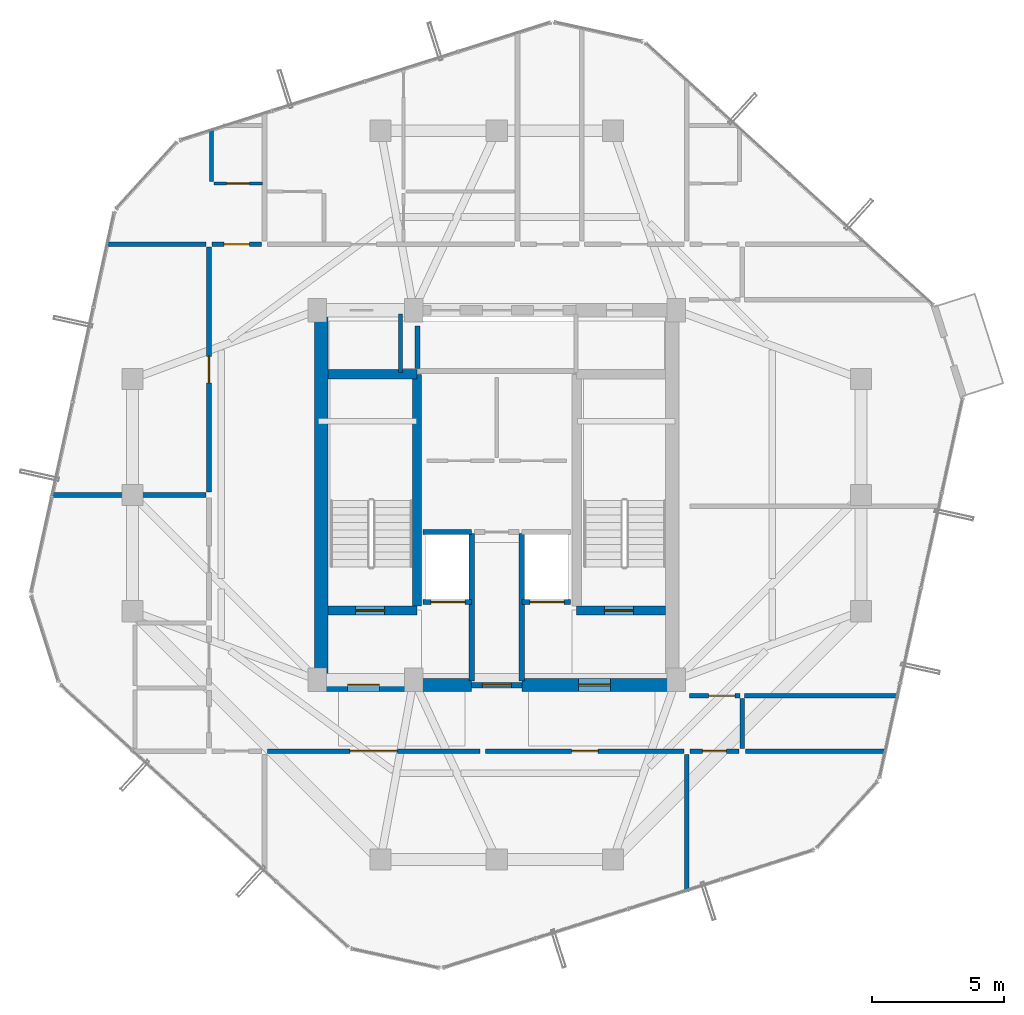
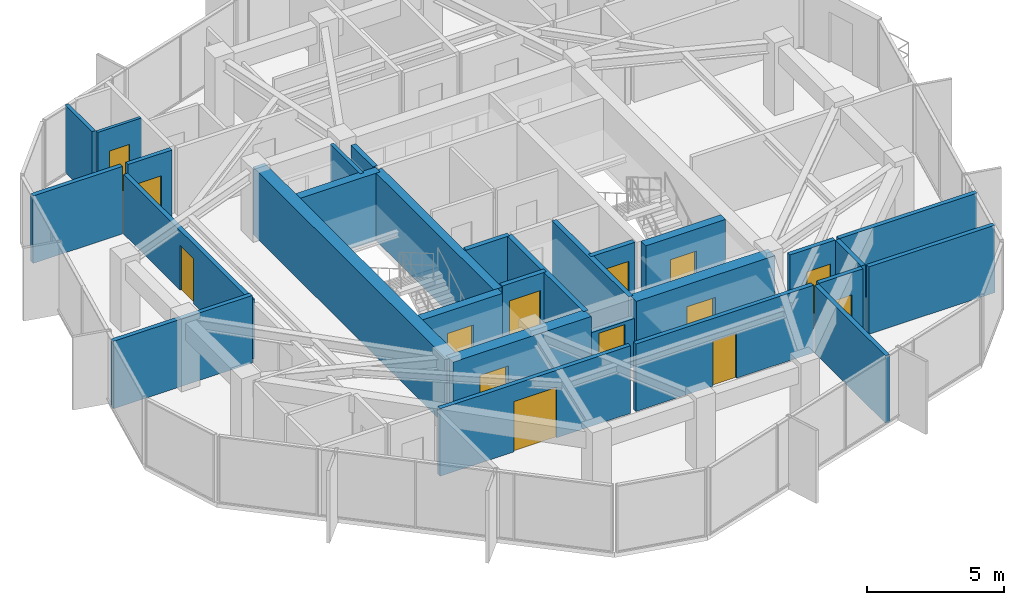
# One storey, part 24 of 28: 29 walls, 14 doors, 14 openings.
"""IFC4 building model written with IfcOpenShell, lengths in metres."""

from ifc_helpers import new_model, si_unit, direction, frame, frame_2d, origin, place, context, subcontext, project, spatial, rectangle, extrude, source, transform, mapped, material, layer, layer_set, type_object, element, fill, save


model = new_model("IFC4")

# Units and contexts
model_context = context("Model", 3, precision=1e-05, world=origin(), true_north=direction((0.0, 1.0)))
body_context = subcontext(model_context, "Body", "Model", "MODEL_VIEW")
ifc_project = project(units=[si_unit("LENGTHUNIT", "METRE"), si_unit("AREAUNIT", "SQUARE_METRE"), si_unit("VOLUMEUNIT", "CUBIC_METRE"), si_unit("PLANEANGLEUNIT", "RADIAN"), si_unit("MASSUNIT", "GRAM", prefix="KILO")], contexts=[model_context])

# Site, building, storey
site_placement = place(None, origin())
site = spatial("IfcSite", under=ifc_project, at=site_placement, CompositionType="ELEMENT")
building_placement = place(site_placement, origin())
building = spatial("IfcBuilding", under=site, at=building_placement, Name="Veraguas Prism Commons", CompositionType="ELEMENT")
storey_placement = place(building_placement, frame((0.0, 0.0, 251.25)))
storey = spatial("IfcBuildingStorey", under=building, at=storey_placement, Name="L71", CompositionType="ELEMENT", Elevation=251.25)

# Wall, opening, door
ifc_material_1 = material(Name="Concrete C50/60", Category="concrete")
ifc_layer_1 = layer(ifc_material_1, 0.35009765625, Name="Core Internal Shear Wall Upper RC 350", Category="concrete")
ifc_layer_set_1 = layer_set([ifc_layer_1], Name="Concrete C50/60")
wall_type_1 = type_object("IfcWallType", Name="Core Internal Shear Wall Upper RC 350", PredefinedType="SHEAR", material=ifc_layer_set_1)
wall_1_placement = place(storey_placement, frame((17.60009765625, 19.625, 0.0), z_axis=(0.0, 0.0, 1.0), x_axis=(1.0, 0.0, 0.0)))
wall_1 = element("IfcWall", 1, at=wall_1_placement, inside=storey, type_object=wall_type_1, Name="Stair ST-01 South Shear Wall L71", PredefinedType="SHEAR", context=body_context, shape_type="SweptSolid", body=[
    extrude(rectangle(XDim=3.375, YDim=0.35009765625, at=frame_2d((1.6875, 0.0))), origin(), (0.0, 0.0, 1.0), 3.014892578125),
])
opening_1_placement = place(wall_1_placement, frame((1.050048828125, 0.0, 0.0)))
opening_1 = element("IfcOpeningElement", 2, at=opening_1_placement, cuts=wall_1, Name="Opening DR-05", PredefinedType="OPENING", context=body_context, shape_type="SweptSolid", body=[
    extrude(rectangle(XDim=1.10009765625, YDim=2.030029296875, at=frame_2d((0.550048828125, 1.01513671875))), frame((0.0, 0.18505859375, 0.0), z_axis=(0.0, -1.0, 0.0), x_axis=(1.0, 0.0, 0.0)), (0.0, 0.0, 1.0), 0.3701171875),
])
ifc_material_2 = material(Name="Steel fire-rated door assembly", Category="steel")
door_type_1 = type_object("IfcDoorType", Name="Protected Stair and Refuge Fire Door 1100x2030", OperationType="NOTDEFINED", PredefinedType="DOOR", material=ifc_material_2)
shared_shape_1 = source(origin(), body_context, "Body", "SweptSolid", [
    extrude(rectangle(XDim=1.10009765625, YDim=2.030029296875, at=frame_2d((0.550048828125, 1.01513671875))), frame((0.0, 0.02490234375, 0.0), z_axis=(0.0, -1.0, 0.0), x_axis=(1.0, 0.0, 0.0)), (0.0, 0.0, 1.0), 0.050048828125),
])
door_1_placement = place(opening_1_placement, origin())
door_1 = element("IfcDoor", 3, at=door_1_placement, inside=storey, type_object=door_type_1, Name="Stair ST-01 Enclosure Door L71", OperationType="SINGLE_SWING_RIGHT", OverallHeight=2.030029296875, OverallWidth=1.10009765625, PredefinedType="DOOR", context=body_context, shape_type="MappedRepresentation", body=[
    mapped(shared_shape_1, transform((0.0, 0.0, 0.0), scale=1.0)),
])
fill(opening_1, door_1)

wall_2_placement = place(storey_placement, frame((27.02490234375, 19.625, 0.0), z_axis=(0.0, 0.0, 1.0), x_axis=(1.0, 0.0, 0.0)))
wall_2 = element("IfcWall", 4, at=wall_2_placement, inside=storey, type_object=wall_type_1, Name="Stair ST-02 South Shear Wall L71", PredefinedType="SHEAR", context=body_context, shape_type="SweptSolid", body=[
    extrude(rectangle(XDim=3.375, YDim=0.35009765625, at=frame_2d((1.6875, 0.0))), origin(), (0.0, 0.0, 1.0), 3.014892578125),
])
opening_2_placement = place(wall_2_placement, frame((1.050048828125, 0.0, 0.0)))
opening_2 = element("IfcOpeningElement", 5, at=opening_2_placement, cuts=wall_2, Name="Opening DR-05", PredefinedType="OPENING", context=body_context, shape_type="SweptSolid", body=[
    extrude(rectangle(XDim=1.10009765625, YDim=2.030029296875, at=frame_2d((0.550048828125, 1.01513671875))), frame((0.0, 0.18505859375, 0.0), z_axis=(0.0, -1.0, 0.0), x_axis=(1.0, 0.0, 0.0)), (0.0, 0.0, 1.0), 0.3701171875),
])
door_2_placement = place(opening_2_placement, origin())
door_2 = element("IfcDoor", 6, at=door_2_placement, inside=storey, type_object=door_type_1, Name="Stair ST-02 Enclosure Door L71", OperationType="SINGLE_SWING_LEFT", OverallHeight=2.030029296875, OverallWidth=1.10009765625, PredefinedType="DOOR", context=body_context, shape_type="MappedRepresentation", body=[
    mapped(shared_shape_1, transform((0.0, 0.0, 0.0), scale=1.0)),
])
fill(opening_2, door_2)

# Walls
wall_3_placement = place(storey_placement, frame((20.97509765625, 19.800048828125, 0.0), z_axis=(0.0, 0.0, 1.0), x_axis=(0.0, 1.0, 0.0)))
element("IfcWall", 7, at=wall_3_placement, inside=storey, type_object=wall_type_1, Name="Stair ST-01 Inner Shear Wall L71", PredefinedType="SHEAR", context=body_context, shape_type="SweptSolid", body=[
    extrude(rectangle(XDim=8.77490234375, YDim=0.35009765625, at=frame_2d((4.387451171875, 0.0))), origin(), (0.0, 0.0, 1.0), 3.014892578125),
])
wall_4_placement = place(storey_placement, frame((17.60009765625, 28.574951171875, 0.0), z_axis=(0.0, 0.0, 1.0), x_axis=(1.0, 0.0, 0.0)))
element("IfcWall", 8, at=wall_4_placement, inside=storey, type_object=wall_type_1, Name="Stair ST-01 North Shear Wall L71", PredefinedType="SHEAR", context=body_context, shape_type="SweptSolid", body=[
    extrude(rectangle(XDim=3.375, YDim=0.35009765625, at=frame_2d((1.6875, 0.0))), origin(), (0.0, 0.0, 1.0), 3.014892578125),
])
ifc_layer_2 = layer(ifc_material_1, 0.5, Name="Core Outer Shear Wall Upper RC 500", Category="concrete")
ifc_layer_set_2 = layer_set([ifc_layer_2], Name="Concrete C50/60")
wall_type_2 = type_object("IfcWallType", Name="Core Outer Shear Wall Upper RC 500", PredefinedType="SHEAR", material=ifc_layer_set_2)
wall_5_placement = place(storey_placement, frame((17.35009765625, 16.800048828125, 0.0), z_axis=(0.0, 0.0, 1.0), x_axis=(0.0, 1.0, 0.0)))
element("IfcWall", 9, at=wall_5_placement, inside=storey, type_object=wall_type_2, Name="Central Core West Shear Wall L71", PredefinedType="SHEAR", context=body_context, shape_type="SweptSolid", body=[
    extrude(rectangle(XDim=14.199951171875, YDim=0.5, at=frame_2d((7.10009765625, 0.0))), origin(), (0.0, 0.0, 1.0), 3.014892578125),
])

# Wall, opening, door
wall_6_placement = place(storey_placement, frame((17.199951171875, 16.800048828125, 0.0), z_axis=(0.0, 0.0, 1.0), x_axis=(1.0, 0.0, 0.0)))
wall_6 = element("IfcWall", 10, at=wall_6_placement, inside=storey, type_object=wall_type_2, Name="Central Core South-West Shear Wall L71", PredefinedType="SHEAR", context=body_context, shape_type="SweptSolid", body=[
    extrude(rectangle(XDim=5.85009765625, YDim=0.5, at=frame_2d((2.925048828125, 0.0))), origin(), (0.0, 0.0, 1.0), 3.014892578125),
])
opening_3_placement = place(wall_6_placement, frame((1.14990234375, 0.0, 0.0)))
opening_3 = element("IfcOpeningElement", 11, at=opening_3_placement, cuts=wall_6, Name="Opening DR-06", PredefinedType="OPENING", context=body_context, shape_type="SweptSolid", body=[
    extrude(rectangle(XDim=1.199951171875, YDim=2.030029296875, at=frame_2d((0.60009765625, 1.01513671875))), frame((0.0, 0.260009765625, 0.0), z_axis=(0.0, -1.0, 0.0), x_axis=(1.0, 0.0, 0.0)), (0.0, 0.0, 1.0), 0.52001953125),
])
door_type_2 = type_object("IfcDoorType", Name="Firefighting Lobby Smoke Door 1200x2030", OperationType="NOTDEFINED", PredefinedType="DOOR", material=ifc_material_2)
shared_shape_2 = source(origin(), body_context, "Body", "SweptSolid", [
    extrude(rectangle(XDim=1.199951171875, YDim=2.030029296875, at=frame_2d((0.60009765625, 1.01513671875))), frame((0.0, 0.02490234375, 0.0), z_axis=(0.0, -1.0, 0.0), x_axis=(1.0, 0.0, 0.0)), (0.0, 0.0, 1.0), 0.050048828125),
])
door_3_placement = place(opening_3_placement, origin())
door_3 = element("IfcDoor", 12, at=door_3_placement, inside=storey, type_object=door_type_2, Name="West FF Lobby Door L71", OperationType="SINGLE_SWING_LEFT", OverallHeight=2.030029296875, OverallWidth=1.199951171875, PredefinedType="DOOR", context=body_context, shape_type="MappedRepresentation", body=[
    mapped(shared_shape_2, transform((0.0, 0.0, 0.0), scale=1.0)),
])
fill(opening_3, door_3)

wall_7_placement = place(storey_placement, frame((24.949951171875, 16.800048828125, 0.0), z_axis=(0.0, 0.0, 1.0), x_axis=(1.0, 0.0, 0.0)))
wall_7 = element("IfcWall", 13, at=wall_7_placement, inside=storey, type_object=wall_type_2, Name="Central Core South-East Shear Wall L71", PredefinedType="SHEAR", context=body_context, shape_type="SweptSolid", body=[
    extrude(rectangle(XDim=5.85009765625, YDim=0.5, at=frame_2d((2.925048828125, 0.0))), origin(), (0.0, 0.0, 1.0), 3.014892578125),
])
opening_4_placement = place(wall_7_placement, frame((2.14990234375, 0.0, 0.0)))
opening_4 = element("IfcOpeningElement", 14, at=opening_4_placement, cuts=wall_7, Name="Opening DR-06", PredefinedType="OPENING", context=body_context, shape_type="SweptSolid", body=[
    extrude(rectangle(XDim=1.199951171875, YDim=2.030029296875, at=frame_2d((0.60009765625, 1.01513671875))), frame((0.0, 0.260009765625, 0.0), z_axis=(0.0, -1.0, 0.0), x_axis=(1.0, 0.0, 0.0)), (0.0, 0.0, 1.0), 0.52001953125),
])
door_4_placement = place(opening_4_placement, origin())
door_4 = element("IfcDoor", 15, at=door_4_placement, inside=storey, type_object=door_type_2, Name="East FF Lobby Door L71", OperationType="SINGLE_SWING_LEFT", OverallHeight=2.030029296875, OverallWidth=1.199951171875, PredefinedType="DOOR", context=body_context, shape_type="MappedRepresentation", body=[
    mapped(shared_shape_2, transform((0.0, 0.0, 0.0), scale=1.0)),
])
fill(opening_4, door_4)

# Wall
ifc_material_3 = material(Name="Autoclaved aerated masonry block 10 MPa", Category="masonry")
ifc_layer_3 = layer(ifc_material_3, 0.179931640625, Name="Corridor and Inter-Tenancy Partition 180", Category="masonry")
ifc_layer_set_3 = layer_set([ifc_layer_3], Name="Autoclaved aerated masonry block 10 MPa")
wall_type_3 = type_object("IfcWallType", Name="Corridor and Inter-Tenancy Partition 180", PredefinedType="PARTITIONING", material=ifc_layer_set_3)
wall_8_placement = place(storey_placement, frame((31.199951171875, 14.179931640625, 0.0), z_axis=(0.0, 0.0, 1.0), x_axis=(0.0, -1.0, 0.0)))
element("IfcWall", 16, at=wall_8_placement, inside=storey, type_object=wall_type_3, Name="WL-L71-PT002", PredefinedType="PARTITIONING", context=body_context, shape_type="SweptSolid", body=[
    extrude(rectangle(XDim=5.188232421875, YDim=0.179931640625, at=frame_2d((2.59423828125, 0.0))), origin(), (0.0, 0.0, 1.0), 3.014892578125),
])

# Wall, opening, door
wall_9_placement = place(storey_placement, frame((15.31005859375, 14.300048828125, 0.0), z_axis=(0.0, 0.0, 1.0), x_axis=(1.0, 0.0, 0.0)))
wall_9 = element("IfcWall", 17, at=wall_9_placement, inside=storey, type_object=wall_type_3, Name="WL-L71-PT003", PredefinedType="PARTITIONING", context=body_context, shape_type="SweptSolid", body=[
    extrude(rectangle(XDim=8.050048828125, YDim=0.179931640625, at=frame_2d((4.02490234375, 0.0))), origin(), (0.0, 0.0, 1.0), 3.014892578125),
])
opening_5_placement = place(wall_9_placement, frame((3.125, 0.0, 0.0)))
opening_5 = element("IfcOpeningElement", 18, at=opening_5_placement, cuts=wall_9, Name="Opening DR-07", PredefinedType="OPENING", context=body_context, shape_type="SweptSolid", body=[
    extrude(rectangle(XDim=1.800048828125, YDim=2.25, at=frame_2d((0.89990234375, 1.125))), frame((0.0, 0.099853515625, 0.0), z_axis=(0.0, -1.0, 0.0), x_axis=(1.0, 0.0, 0.0)), (0.0, 0.0, 1.0), 0.199951171875),
])
door_type_3 = type_object("IfcDoorType", Name="Corridor Double Fire Door 1800x2250", OperationType="NOTDEFINED", PredefinedType="DOOR", material=ifc_material_2)
shared_shape_3 = source(origin(), body_context, "Body", "SweptSolid", [
    extrude(rectangle(XDim=1.800048828125, YDim=2.25, at=frame_2d((0.89990234375, 1.125))), frame((0.0, 0.02490234375, 0.0), z_axis=(0.0, -1.0, 0.0), x_axis=(1.0, 0.0, 0.0)), (0.0, 0.0, 1.0), 0.050048828125),
])
door_5_placement = place(opening_5_placement, origin())
door_5 = element("IfcDoor", 19, at=door_5_placement, inside=storey, type_object=door_type_3, Name="Residents Co-op Library and Reading Hall Door 1", OperationType="SINGLE_SWING_LEFT", OverallHeight=2.25, OverallWidth=1.800048828125, PredefinedType="DOOR", context=body_context, shape_type="MappedRepresentation", body=[
    mapped(shared_shape_3, transform((0.0, 0.0, 0.0), scale=1.0)),
])
fill(opening_5, door_5)

wall_10_placement = place(storey_placement, frame((23.580078125, 14.300048828125, 0.0), z_axis=(0.0, 0.0, 1.0), x_axis=(1.0, 0.0, 0.0)))
wall_10 = element("IfcWall", 20, at=wall_10_placement, inside=storey, type_object=wall_type_3, Name="WL-L71-PT004", PredefinedType="PARTITIONING", context=body_context, shape_type="SweptSolid", body=[
    extrude(rectangle(XDim=7.510009765625, YDim=0.179931640625, at=frame_2d((3.7548828125, 0.0))), origin(), (0.0, 0.0, 1.0), 3.014892578125),
])
opening_6_placement = place(wall_10_placement, frame((3.2548828125, 0.0, 0.0)))
opening_6 = element("IfcOpeningElement", 21, at=opening_6_placement, cuts=wall_10, Name="Opening DR-13", PredefinedType="OPENING", context=body_context, shape_type="SweptSolid", body=[
    extrude(rectangle(XDim=1.0, YDim=2.010009765625, at=frame_2d((0.5, 1.0048828125))), frame((0.0, 0.099853515625, 0.0), z_axis=(0.0, -1.0, 0.0), x_axis=(1.0, 0.0, 0.0)), (0.0, 0.0, 1.0), 0.199951171875),
])
door_type_4 = type_object("IfcDoorType", Name="Core Accessible WC and Clinic Fire Door 1000x2010", OperationType="NOTDEFINED", PredefinedType="DOOR", material=ifc_material_2)
shared_shape_4 = source(origin(), body_context, "Body", "SweptSolid", [
    extrude(rectangle(XDim=1.0, YDim=2.010009765625, at=frame_2d((0.5, 1.0048828125))), frame((0.0, 0.02490234375, 0.0), z_axis=(0.0, -1.0, 0.0), x_axis=(1.0, 0.0, 0.0)), (0.0, 0.0, 1.0), 0.050048828125),
])
door_6_placement = place(opening_6_placement, origin())
door_6 = element("IfcDoor", 22, at=door_6_placement, inside=storey, type_object=door_type_4, Name="Residents Co-op Library and Reading Hall Door 2", OperationType="SINGLE_SWING_RIGHT", OverallHeight=2.010009765625, OverallWidth=1.0, PredefinedType="DOOR", context=body_context, shape_type="MappedRepresentation", body=[
    mapped(shared_shape_4, transform((0.0, 0.0, 0.0), scale=1.0)),
])
fill(opening_6, door_6)

# Wall
wall_11_placement = place(storey_placement, frame((12.97998046875, 33.5, 0.0), z_axis=(0.0, 0.0, 1.0), x_axis=(-1.0, 0.0, 0.0)))
element("IfcWall", 23, at=wall_11_placement, inside=storey, type_object=wall_type_3, Name="WL-L71-PT018", PredefinedType="PARTITIONING", context=body_context, shape_type="SweptSolid", body=[
    extrude(rectangle(XDim=3.77392578125, YDim=0.179931640625, at=frame_2d((1.886962890625, 0.0))), origin(), (0.0, 0.0, 1.0), 3.014892578125),
])

# Wall, opening, door
wall_12_placement = place(storey_placement, frame((13.10009765625, 24.110107421875, 0.0), z_axis=(0.0, 0.0, 1.0), x_axis=(0.0, 1.0, 0.0)))
wall_12 = element("IfcWall", 24, at=wall_12_placement, inside=storey, type_object=wall_type_3, Name="WL-L71-PT022", PredefinedType="PARTITIONING", context=body_context, shape_type="SweptSolid", body=[
    extrude(rectangle(XDim=9.27978515625, YDim=0.179931640625, at=frame_2d((4.639892578125, 0.0))), origin(), (0.0, 0.0, 1.0), 2.662109375),
])
opening_7_placement = place(wall_12_placement, frame((4.139892578125, 0.0, 0.0)))
opening_7 = element("IfcOpeningElement", 25, at=opening_7_placement, cuts=wall_12, Name="Opening DR-13", PredefinedType="OPENING", context=body_context, shape_type="SweptSolid", body=[
    extrude(rectangle(XDim=1.0, YDim=2.010009765625, at=frame_2d((0.5, 1.0048828125))), frame((0.0, 0.099853515625, 0.0), z_axis=(0.0, -1.0, 0.0), x_axis=(1.0, 0.0, 0.0)), (0.0, 0.0, 1.0), 0.199951171875),
])
door_7_placement = place(opening_7_placement, origin())
door_7 = element("IfcDoor", 26, at=door_7_placement, inside=storey, type_object=door_type_4, Name="Reading Lounge L71 Door", OperationType="SINGLE_SWING_RIGHT", OverallHeight=2.010009765625, OverallWidth=1.0, PredefinedType="DOOR", context=body_context, shape_type="MappedRepresentation", body=[
    mapped(shared_shape_4, transform((0.0, 0.0, 0.0), scale=1.0)),
])
fill(opening_7, door_7)

# Walls
wall_13_placement = place(storey_placement, frame((12.97998046875, 24.0, 0.0), z_axis=(0.0, 0.0, 1.0), x_axis=(-1.0, 0.0, 0.0)))
element("IfcWall", 27, at=wall_13_placement, inside=storey, type_object=wall_type_3, Name="WL-L71-PT027", PredefinedType="PARTITIONING", context=body_context, shape_type="SweptSolid", body=[
    extrude(rectangle(XDim=5.85546875, YDim=0.179931640625, at=frame_2d((2.927734375, 0.0))), origin(), (0.0, 0.0, 1.0), 3.014892578125),
])
wall_14_placement = place(storey_placement, frame((33.300048828125, 14.39990234375, 0.0), z_axis=(0.0, 0.0, 1.0), x_axis=(0.0, 1.0, 0.0)))
element("IfcWall", 28, at=wall_14_placement, inside=storey, type_object=wall_type_3, Name="WL-L71-PT029", PredefinedType="PARTITIONING", context=body_context, shape_type="SweptSolid", body=[
    extrude(rectangle(XDim=1.900146484375, YDim=0.179931640625, at=frame_2d((0.9501953125, 0.0))), origin(), (0.0, 0.0, 1.0), 3.014892578125),
])

# Wall, opening, door
wall_15_placement = place(storey_placement, frame((31.300048828125, 16.39990234375, 0.0), z_axis=(0.0, 0.0, 1.0), x_axis=(1.0, 0.0, 0.0)))
wall_15 = element("IfcWall", 29, at=wall_15_placement, inside=storey, type_object=wall_type_3, Name="WL-L71-PT031", PredefinedType="PARTITIONING", context=body_context, shape_type="SweptSolid", body=[
    extrude(rectangle(XDim=1.919921875, YDim=0.179931640625, at=frame_2d((0.9599609375, 0.0))), origin(), (0.0, 0.0, 1.0), 3.014892578125),
])
opening_8_placement = place(wall_15_placement, frame((0.719970703125, 0.0, 0.0)))
opening_8 = element("IfcOpeningElement", 30, at=opening_8_placement, cuts=wall_15, Name="Opening DR-13", PredefinedType="OPENING", context=body_context, shape_type="SweptSolid", body=[
    extrude(rectangle(XDim=1.0, YDim=2.010009765625, at=frame_2d((0.5, 1.0048828125))), frame((0.0, 0.099853515625, 0.0), z_axis=(0.0, -1.0, 0.0), x_axis=(1.0, 0.0, 0.0)), (0.0, 0.0, 1.0), 0.199951171875),
])
door_8_placement = place(opening_8_placement, origin())
door_8 = element("IfcDoor", 31, at=door_8_placement, inside=storey, type_object=door_type_4, Name="Panorama Lounge Door L71", OperationType="SINGLE_SWING_LEFT", OverallHeight=2.010009765625, OverallWidth=1.0, PredefinedType="DOOR", context=body_context, shape_type="MappedRepresentation", body=[
    mapped(shared_shape_4, transform((0.0, 0.0, 0.0), scale=1.0)),
])
fill(opening_8, door_8)

# Walls
wall_16_placement = place(storey_placement, frame((33.3798828125, 16.39990234375, 0.0), z_axis=(0.0, 0.0, 1.0), x_axis=(1.0, 0.0, 0.0)))
element("IfcWall", 32, at=wall_16_placement, inside=storey, type_object=wall_type_3, Name="WL-L71-PT032", PredefinedType="PARTITIONING", context=body_context, shape_type="SweptSolid", body=[
    extrude(rectangle(XDim=5.830322265625, YDim=0.179931640625, at=frame_2d((2.9150390625, 0.0))), origin(), (0.0, 0.0, 1.0), 3.014892578125),
])
wall_17_placement = place(storey_placement, frame((33.419921875, 14.300048828125, 0.0), z_axis=(0.0, 0.0, 1.0), x_axis=(1.0, 0.0, 0.0)))
element("IfcWall", 33, at=wall_17_placement, inside=storey, type_object=wall_type_3, Name="WL-L71-PT036", PredefinedType="PARTITIONING", context=body_context, shape_type="SweptSolid", body=[
    extrude(rectangle(XDim=5.330078125, YDim=0.179931640625, at=frame_2d((2.6650390625, 0.0))), origin(), (0.0, 0.0, 1.0), 3.014892578125),
])

# Wall, opening, door
wall_18_placement = place(storey_placement, frame((31.320068359375, 14.300048828125, 0.0), z_axis=(0.0, 0.0, 1.0), x_axis=(1.0, 0.0, 0.0)))
wall_18 = element("IfcWall", 34, at=wall_18_placement, inside=storey, type_object=wall_type_3, Name="WL-L71-PT037", PredefinedType="PARTITIONING", context=body_context, shape_type="SweptSolid", body=[
    extrude(rectangle(XDim=1.85986328125, YDim=0.179931640625, at=frame_2d((0.929931640625, 0.0))), origin(), (0.0, 0.0, 1.0), 3.014892578125),
])
opening_9_placement = place(wall_18_placement, frame((0.47998046875, 0.0, 0.0)))
opening_9 = element("IfcOpeningElement", 35, at=opening_9_placement, cuts=wall_18, Name="Opening DR-14", PredefinedType="OPENING", context=body_context, shape_type="SweptSolid", body=[
    extrude(rectangle(XDim=0.89990234375, YDim=2.010009765625, at=frame_2d((0.449951171875, 1.0048828125))), frame((0.0, 0.099853515625, 0.0), z_axis=(0.0, -1.0, 0.0), x_axis=(1.0, 0.0, 0.0)), (0.0, 0.0, 1.0), 0.199951171875),
])
door_type_5 = type_object("IfcDoorType", Name="Core Service Room Fire Door 900x2010", OperationType="NOTDEFINED", PredefinedType="DOOR", material=ifc_material_2)
shared_shape_5 = source(origin(), body_context, "Body", "SweptSolid", [
    extrude(rectangle(XDim=0.89990234375, YDim=2.010009765625, at=frame_2d((0.449951171875, 1.0048828125))), frame((0.0, 0.02490234375, 0.0), z_axis=(0.0, -1.0, 0.0), x_axis=(1.0, 0.0, 0.0)), (0.0, 0.0, 1.0), 0.050048828125),
])
door_9_placement = place(opening_9_placement, origin())
door_9 = element("IfcDoor", 36, at=door_9_placement, inside=storey, type_object=door_type_5, Name="Community Co-op Kitchen SE Door", OperationType="SINGLE_SWING_RIGHT", OverallHeight=2.010009765625, OverallWidth=0.89990234375, PredefinedType="DOOR", context=body_context, shape_type="MappedRepresentation", body=[
    mapped(shared_shape_5, transform((0.0, 0.0, 0.0), scale=1.0)),
])
fill(opening_9, door_9)

wall_19_placement = place(storey_placement, frame((13.219970703125, 33.5, 0.0), z_axis=(0.0, 0.0, 1.0), x_axis=(1.0, 0.0, 0.0)))
wall_19 = element("IfcWall", 37, at=wall_19_placement, inside=storey, type_object=wall_type_3, Name="WL-L71-PT038", PredefinedType="PARTITIONING", context=body_context, shape_type="SweptSolid", body=[
    extrude(rectangle(XDim=1.860107421875, YDim=0.179931640625, at=frame_2d((0.93017578125, 0.0))), origin(), (0.0, 0.0, 1.0), 3.014892578125),
])
opening_10_placement = place(wall_19_placement, frame((0.455078125, 0.0, 0.0)))
opening_10 = element("IfcOpeningElement", 38, at=opening_10_placement, cuts=wall_19, Name="Opening DR-01", PredefinedType="OPENING", context=body_context, shape_type="SweptSolid", body=[
    extrude(rectangle(XDim=0.949951171875, YDim=2.02001953125, at=frame_2d((0.47509765625, 1.010009765625))), frame((0.0, 0.099853515625, 0.0), z_axis=(0.0, -1.0, 0.0), x_axis=(1.0, 0.0, 0.0)), (0.0, 0.0, 1.0), 0.199951171875),
])
ifc_material_4 = material(Name="Anodised aluminium EN AW-6063 T6", Category="aluminium")
door_type_6 = type_object("IfcDoorType", Name="Apartment Entrance Fire Door 950x2020", OperationType="NOTDEFINED", PredefinedType="DOOR", material=ifc_material_4)
shared_shape_6 = source(origin(), body_context, "Body", "SweptSolid", [
    extrude(rectangle(XDim=0.949951171875, YDim=2.02001953125, at=frame_2d((0.47509765625, 1.010009765625))), frame((0.0, 0.02490234375, 0.0), z_axis=(0.0, -1.0, 0.0), x_axis=(1.0, 0.0, 0.0)), (0.0, 0.0, 1.0), 0.050048828125),
])
door_10_placement = place(opening_10_placement, origin())
door_10 = element("IfcDoor", 39, at=door_10_placement, inside=storey, type_object=door_type_6, Name="Studio 71B Entrance Door", OperationType="SINGLE_SWING_LEFT", OverallHeight=2.02001953125, OverallWidth=0.949951171875, PredefinedType="DOOR", context=body_context, shape_type="MappedRepresentation", body=[
    mapped(shared_shape_6, transform((0.0, 0.0, 0.0), scale=1.0)),
])
fill(opening_10, door_10)

ifc_material_5 = material(Name="Lightweight acoustic gypsum board")
ifc_layer_4 = layer(ifc_material_5, 0.125, Name="Internal Apartment Room Partition 125")
ifc_layer_set_4 = layer_set([ifc_layer_4], Name="Lightweight acoustic gypsum board")
wall_type_4 = type_object("IfcWallType", Name="Internal Apartment Room Partition 125", PredefinedType="PARTITIONING", material=ifc_layer_set_4)
wall_20_placement = place(storey_placement, frame((13.280029296875, 35.800048828125, 0.0), z_axis=(0.0, 0.0, 1.0), x_axis=(1.0, 0.0, 0.0)))
wall_20 = element("IfcWall", 40, at=wall_20_placement, inside=storey, type_object=wall_type_4, Name="WL-L71-PT039", PredefinedType="PARTITIONING", context=body_context, shape_type="SweptSolid", body=[
    extrude(rectangle(XDim=1.840087890625, YDim=0.125, at=frame_2d((0.919921875, 0.0))), origin(), (0.0, 0.0, 1.0), 3.014892578125),
])
opening_11_placement = place(wall_20_placement, frame((0.489990234375, 0.0, 0.0)))
opening_11 = element("IfcOpeningElement", 41, at=opening_11_placement, cuts=wall_20, Name="Opening DR-03", PredefinedType="OPENING", context=body_context, shape_type="SweptSolid", body=[
    extrude(rectangle(XDim=0.860107421875, YDim=2.010009765625, at=frame_2d((0.43017578125, 1.0048828125))), frame((0.0, 0.072509765625, 0.0), z_axis=(0.0, -1.0, 0.0), x_axis=(1.0, 0.0, 0.0)), (0.0, 0.0, 1.0), 0.14501953125),
])
ifc_material_6 = material(Name="Timber moisture-resistant leaf", Category="wood")
door_type_7 = type_object("IfcDoorType", Name="Internal Bathroom Door 860x2010", OperationType="NOTDEFINED", PredefinedType="DOOR", material=ifc_material_6)
shared_shape_7 = source(origin(), body_context, "Body", "SweptSolid", [
    extrude(rectangle(XDim=0.860107421875, YDim=2.010009765625, at=frame_2d((0.43017578125, 1.0048828125))), frame((0.0, 0.02490234375, 0.0), z_axis=(0.0, -1.0, 0.0), x_axis=(1.0, 0.0, 0.0)), (0.0, 0.0, 1.0), 0.050048828125),
])
door_11_placement = place(opening_11_placement, origin())
door_11 = element("IfcDoor", 42, at=door_11_placement, inside=storey, type_object=door_type_7, Name="Studio 71B Bathroom Door", OperationType="SINGLE_SWING_RIGHT", OverallHeight=2.010009765625, OverallWidth=0.860107421875, PredefinedType="DOOR", context=body_context, shape_type="MappedRepresentation", body=[
    mapped(shared_shape_7, transform((0.0, 0.0, 0.0), scale=1.0)),
])
fill(opening_11, door_11)

ifc_layer_5 = layer(ifc_material_3, 0.199951171875, Name="Rated Shaft and Lobby Block Wall 200", Category="masonry")
ifc_layer_set_5 = layer_set([ifc_layer_5], Name="Autoclaved aerated masonry block 10 MPa")
wall_type_5 = type_object("IfcWallType", Name="Rated Shaft and Lobby Block Wall 200", PredefinedType="SOLIDWALL", material=ifc_layer_set_5)
wall_21_placement = place(storey_placement, frame((23.050048828125, 16.800048828125, 0.0), z_axis=(0.0, 0.0, 1.0), x_axis=(1.0, 0.0, 0.0)))
wall_21 = element("IfcWall", 43, at=wall_21_placement, inside=storey, type_object=wall_type_5, Name="Central Core Lobby Entrance Wall L71", PredefinedType="SOLIDWALL", context=body_context, shape_type="SweptSolid", body=[
    extrude(rectangle(XDim=1.89990234375, YDim=0.199951171875, at=frame_2d((0.949951171875, 0.0))), origin(), (0.0, 0.0, 1.0), 2.1650390625),
])
opening_12_placement = place(wall_21_placement, frame((0.39990234375, 0.0, 0.0)))
opening_12 = element("IfcOpeningElement", 44, at=opening_12_placement, cuts=wall_21, Name="Opening DR-05", PredefinedType="OPENING", context=body_context, shape_type="SweptSolid", body=[
    extrude(rectangle(XDim=1.10009765625, YDim=2.030029296875, at=frame_2d((0.550048828125, 1.01513671875))), frame((0.0, 0.10986328125, 0.0), z_axis=(0.0, -1.0, 0.0), x_axis=(1.0, 0.0, 0.0)), (0.0, 0.0, 1.0), 0.219970703125),
])
door_12_placement = place(opening_12_placement, origin())
door_12 = element("IfcDoor", 45, at=door_12_placement, inside=storey, type_object=door_type_1, Name="Central Lobby Door L71", OperationType="SINGLE_SWING_RIGHT", OverallHeight=2.030029296875, OverallWidth=1.10009765625, PredefinedType="DOOR", context=body_context, shape_type="MappedRepresentation", body=[
    mapped(shared_shape_1, transform((0.0, 0.0, 0.0), scale=1.0)),
])
fill(opening_12, door_12)

wall_22_placement = place(storey_placement, frame((21.199951171875, 19.949951171875, 0.0), z_axis=(0.0, 0.0, 1.0), x_axis=(1.0, 0.0, 0.0)))
wall_22 = element("IfcWall", 46, at=wall_22_placement, inside=storey, type_object=wall_type_5, Name="Firefighting Lift FFL-1 Front Wall L71", PredefinedType="SOLIDWALL", context=body_context, shape_type="SweptSolid", body=[
    extrude(rectangle(XDim=1.85009765625, YDim=0.199951171875, at=frame_2d((0.925048828125, 0.0))), origin(), (0.0, 0.0, 1.0), 3.014892578125),
])
opening_13_placement = place(wall_22_placement, frame((0.300048828125, 0.0, 0.0)))
opening_13 = element("IfcOpeningElement", 47, at=opening_13_placement, cuts=wall_22, Name="Opening LD-02", PredefinedType="OPENING", context=body_context, shape_type="SweptSolid", body=[
    extrude(rectangle(XDim=1.300048828125, YDim=2.25, at=frame_2d((0.64990234375, 1.125))), frame((0.0, 0.10986328125, 0.0), z_axis=(0.0, -1.0, 0.0), x_axis=(1.0, 0.0, 0.0)), (0.0, 0.0, 1.0), 0.219970703125),
])
ifc_material_7 = material(Name="Stainless steel AISI 316", Category="steel")
door_type_8 = type_object("IfcDoorType", Name="Firefighting Lift Sliding Landing Door 1300x2250", OperationType="NOTDEFINED", PredefinedType="DOOR", material=ifc_material_7)
shared_shape_8 = source(origin(), body_context, "Body", "SweptSolid", [
    extrude(rectangle(XDim=1.300048828125, YDim=2.25, at=frame_2d((0.64990234375, 1.125))), frame((0.0, 0.02490234375, 0.0), z_axis=(0.0, -1.0, 0.0), x_axis=(1.0, 0.0, 0.0)), (0.0, 0.0, 1.0), 0.050048828125),
])
door_13_placement = place(opening_13_placement, origin())
door_13 = element("IfcDoor", 48, at=door_13_placement, inside=storey, type_object=door_type_8, Name="Firefighting Lift FFL-1 Landing Door L71", OperationType="SLIDING_TO_LEFT", OverallHeight=2.25, OverallWidth=1.300048828125, PredefinedType="DOOR", context=body_context, shape_type="MappedRepresentation", body=[
    mapped(shared_shape_8, transform((0.0, 0.0, 0.0), scale=1.0)),
])
fill(opening_13, door_13)

wall_23_placement = place(storey_placement, frame((24.949951171875, 19.949951171875, 0.0), z_axis=(0.0, 0.0, 1.0), x_axis=(1.0, 0.0, 0.0)))
wall_23 = element("IfcWall", 49, at=wall_23_placement, inside=storey, type_object=wall_type_5, Name="Firefighting Lift FFL-2 Front Wall L71", PredefinedType="SOLIDWALL", context=body_context, shape_type="SweptSolid", body=[
    extrude(rectangle(XDim=1.85009765625, YDim=0.199951171875, at=frame_2d((0.925048828125, 0.0))), origin(), (0.0, 0.0, 1.0), 3.014892578125),
])
opening_14_placement = place(wall_23_placement, frame((0.300048828125, 0.0, 0.0)))
opening_14 = element("IfcOpeningElement", 50, at=opening_14_placement, cuts=wall_23, Name="Opening LD-02", PredefinedType="OPENING", context=body_context, shape_type="SweptSolid", body=[
    extrude(rectangle(XDim=1.300048828125, YDim=2.25, at=frame_2d((0.64990234375, 1.125))), frame((0.0, 0.10986328125, 0.0), z_axis=(0.0, -1.0, 0.0), x_axis=(1.0, 0.0, 0.0)), (0.0, 0.0, 1.0), 0.219970703125),
])
door_14_placement = place(opening_14_placement, origin())
door_14 = element("IfcDoor", 51, at=door_14_placement, inside=storey, type_object=door_type_8, Name="Firefighting Lift FFL-2 Front Wall L71", OperationType="SLIDING_TO_LEFT", OverallHeight=2.25, OverallWidth=1.300048828125, PredefinedType="DOOR", context=body_context, shape_type="MappedRepresentation", body=[
    mapped(shared_shape_8, transform((0.0, 0.0, 0.0), scale=1.0)),
])
fill(opening_14, door_14)

# Walls
for number, where, z_axis, x_axis, name in (
    (52, (23.050048828125, 16.949951171875, 0.0), (0.0, 0.0, 1.0), (0.0, 1.0, 0.0), "West FF Lobby Divider Wall L71"),
    (53, (24.949951171875, 16.949951171875, 0.0), (0.0, 0.0, 1.0), (0.0, 1.0, 0.0), "East FF Lobby Divider Wall L71"),
):
    element("IfcWall", number, at=place(storey_placement, frame(where, z_axis=z_axis, x_axis=x_axis)), inside=storey, type_object=wall_type_5, Name=name, PredefinedType="SOLIDWALL", context=body_context, shape_type="SweptSolid", body=[
        extrude(rectangle(XDim=5.60009765625, YDim=0.199951171875, at=frame_2d((2.800048828125, 0.0))), origin(), (0.0, 0.0, 1.0), 3.014892578125),
    ])
wall_24_placement = place(storey_placement, frame((21.199951171875, 22.60009765625, 0.0), z_axis=(0.0, 0.0, 1.0), x_axis=(1.0, 0.0, 0.0)))
element("IfcWall", 54, at=wall_24_placement, inside=storey, type_object=wall_type_5, Name="Firefighting Lift FFL-1 Rear Wall L71", PredefinedType="SOLIDWALL", context=body_context, shape_type="SweptSolid", body=[
    extrude(rectangle(XDim=1.85009765625, YDim=0.199951171875, at=frame_2d((0.925048828125, 0.0))), origin(), (0.0, 0.0, 1.0), 3.014892578125),
])
wall_25_placement = place(storey_placement, frame((21.0, 28.800048828125, 0.0), z_axis=(0.0, 0.0, 1.0), x_axis=(0.0, 1.0, 0.0)))
element("IfcWall", 55, at=wall_25_placement, inside=storey, type_object=wall_type_5, Name="High-Rise Lift Bank West Shaft Wall L71", PredefinedType="SOLIDWALL", context=body_context, shape_type="SweptSolid", body=[
    extrude(rectangle(XDim=1.599853515625, YDim=0.199951171875, at=frame_2d((0.7998046875, 0.0))), origin(), (0.0, 0.0, 1.0), 3.014892578125),
])
ifc_layer_6 = layer(ifc_material_5, 0.14990234375, Name="Wet Room and Clinic Acoustic Partition 150")
ifc_layer_set_6 = layer_set([ifc_layer_6], Name="Lightweight acoustic gypsum board")
wall_type_6 = type_object("IfcWallType", Name="Wet Room and Clinic Acoustic Partition 150", PredefinedType="PARTITIONING", material=ifc_layer_set_6)
wall_26_placement = place(storey_placement, frame((20.35009765625, 28.64990234375, 0.0), z_axis=(0.0, 0.0, 1.0), x_axis=(0.0, 1.0, 0.0)))
element("IfcWall", 56, at=wall_26_placement, inside=storey, type_object=wall_type_6, Name="Core NW Service Inner Wall L71", PredefinedType="PARTITIONING", context=body_context, shape_type="SweptSolid", body=[
    extrude(rectangle(XDim=2.2001953125, YDim=0.14990234375, at=frame_2d((1.10009765625, 0.0))), origin(), (0.0, 0.0, 1.0), 3.014892578125),
])
wall_27_placement = place(storey_placement, frame((13.199951171875, 35.8798828125, 0.0), z_axis=(0.0, 0.0, 1.0), x_axis=(0.0, 1.0, 0.0)))
element("IfcWall", 57, at=wall_27_placement, inside=storey, type_object=wall_type_6, Name="WL-L71-PT041", PredefinedType="PARTITIONING", context=body_context, shape_type="SweptSolid", body=[
    extrude(rectangle(XDim=1.983642578125, YDim=0.14990234375, at=frame_2d((0.99169921875, 0.0))), origin(), (0.0, 0.0, 1.0), 3.014892578125),
])

save(model, "model.ifc")
